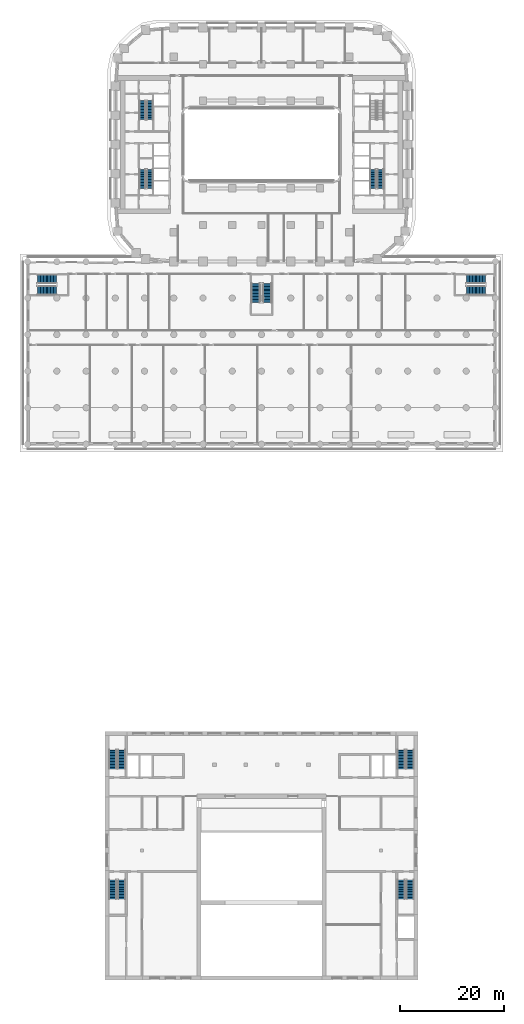
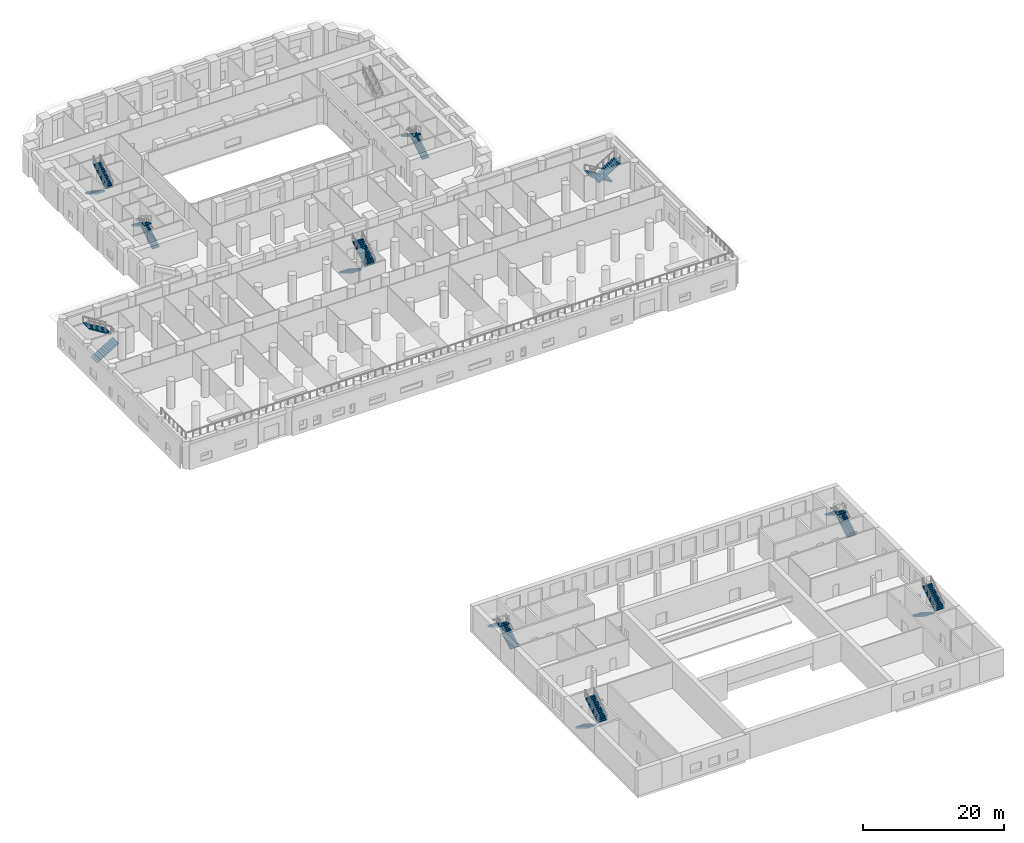
# One storey, part 16 of 27: 20 stair flights, 10 elements without a shape of their own.
"""IFC4 building model written with IfcOpenShell, lengths in metres."""

from ifc_helpers import new_model, si_unit, direction, frame, origin, place, context, subcontext, project, spatial, polyline, outline, extrude, material, type_object, element, aggregate, save


model = new_model("IFC4")

# Units and contexts
model_context = context("Model", 3, precision=1e-05, world=origin(), true_north=direction((0.0, 1.0)))
body_context = subcontext(model_context, "Body", "Model", "MODEL_VIEW")
ifc_project = project(units=[si_unit("LENGTHUNIT", "METRE"), si_unit("AREAUNIT", "SQUARE_METRE"), si_unit("VOLUMEUNIT", "CUBIC_METRE"), si_unit("PLANEANGLEUNIT", "RADIAN"), si_unit("MASSUNIT", "GRAM", prefix="KILO")], contexts=[model_context])

# Site, building, storey
site_placement = place(None, origin())
site = spatial("IfcSite", under=ifc_project, at=site_placement, CompositionType="ELEMENT")
building_placement = place(site_placement, origin())
building = spatial("IfcBuilding", under=site, at=building_placement, Name="Kiln Ring Residences", CompositionType="ELEMENT")
storey_placement = place(building_placement, frame((0.0, 0.0, 6.5)))
storey = spatial("IfcBuildingStorey", under=building, at=storey_placement, Name="L01", CompositionType="ELEMENT", Elevation=6.5)

# Stair, stair flights
ifc_material_1 = material(Name="Concrete C40/50", Category="concrete")
stair_type_1 = type_object("IfcStairType", Name="CORE-STAIR", PredefinedType="HALF_TURN_STAIR", material=ifc_material_1)
placement = place(storey_placement, origin())
stair_1 = element("IfcStair", 1, at=placement, inside=storey, type_object=stair_type_1, Name="L01 stair W-STN", PredefinedType="HALF_TURN_STAIR")
ifc_material_2 = material(Name="Concrete C40/50", Category="concrete")
stair_flight_type_1 = type_object("IfcStairFlightType", Name="CORE-STAIR-FLIGHT", PredefinedType="STRAIGHT", material=ifc_material_2)
stair_flight_1_placement = place(storey_placement, frame((-22.800048828125, 8.39990234375, 0.0), z_axis=(0.0, 0.0, 1.0), x_axis=(0.0, -1.0, 0.0)))
stair_flight_1 = element("IfcStairFlight", 2, at=stair_flight_1_placement, type_object=stair_flight_type_1, Name="W-STN flight 1", NumberOfRisers=14, NumberOfTreads=13, PredefinedType="STRAIGHT", RiserHeight=0.171428571, TreadLength=0.28, context=body_context, shape_type="SweptSolid", body=[
    extrude(outline(polyline([(0.0, 0.0), (0.0, 0.17138671875), (0.280029296875, 0.17138671875), (0.280029296875, 0.3427734375), (0.56005859375, 0.3427734375), (0.56005859375, 0.514404296875), (0.840087890625, 0.514404296875), (0.840087890625, 0.685791015625), (1.1201171875, 0.685791015625), (1.1201171875, 0.857177734375), (1.39990234375, 0.857177734375), (1.39990234375, 1.028564453125), (1.679931640625, 1.028564453125), (1.679931640625, 1.199951171875), (1.9599609375, 1.199951171875), (1.9599609375, 1.371337890625), (2.239990234375, 1.371337890625), (2.239990234375, 1.54296875), (2.52001953125, 1.54296875), (2.52001953125, 1.71435546875), (2.800048828125, 1.71435546875), (2.800048828125, 1.8857421875), (3.080078125, 1.8857421875), (3.080078125, 2.05712890625), (3.360107421875, 2.05712890625), (3.360107421875, 2.228515625), (3.639892578125, 2.228515625), (3.639892578125, 2.39990234375), (3.639892578125, 2.052734375), (0.287109375, 0.0), (0.0, 0.0)])), frame((0.0, 0.60009765625, 0.0), z_axis=(0.0, -1.0, 0.0), x_axis=(1.0, 0.0, 0.0)), (0.0, 0.0, 1.0), 1.199951171875),
])
stair_flight_2_placement = place(storey_placement, frame((-21.39990234375, 4.760009765625, 2.39990234375), z_axis=(0.0, 0.0, 1.0), x_axis=(0.0, 1.0, 0.0)))
stair_flight_2 = element("IfcStairFlight", 3, at=stair_flight_2_placement, type_object=stair_flight_type_1, Name="W-STN flight 2", NumberOfRisers=14, NumberOfTreads=13, PredefinedType="STRAIGHT", RiserHeight=0.171428571, TreadLength=0.28, context=body_context, shape_type="SweptSolid", body=[
    extrude(outline(polyline([(0.0, 0.0), (0.0, 0.17138671875), (0.280029296875, 0.17138671875), (0.280029296875, 0.3427734375), (0.56005859375, 0.3427734375), (0.56005859375, 0.514404296875), (0.840087890625, 0.514404296875), (0.840087890625, 0.685791015625), (1.1201171875, 0.685791015625), (1.1201171875, 0.857177734375), (1.39990234375, 0.857177734375), (1.39990234375, 1.028564453125), (1.679931640625, 1.028564453125), (1.679931640625, 1.199951171875), (1.9599609375, 1.199951171875), (1.9599609375, 1.371337890625), (2.239990234375, 1.371337890625), (2.239990234375, 1.54296875), (2.52001953125, 1.54296875), (2.52001953125, 1.71435546875), (2.800048828125, 1.71435546875), (2.800048828125, 1.8857421875), (3.080078125, 1.8857421875), (3.080078125, 2.05712890625), (3.360107421875, 2.05712890625), (3.360107421875, 2.228515625), (3.639892578125, 2.228515625), (3.639892578125, 2.39990234375), (3.639892578125, 2.052734375), (0.287109375, 0.0), (0.0, 0.0)])), frame((0.0, 0.60009765625, 0.0), z_axis=(0.0, -1.0, 0.0), x_axis=(1.0, 0.0, 0.0)), (0.0, 0.0, 1.0), 1.199951171875),
])
aggregate(stair_1, [stair_flight_1, stair_flight_2])

stair_2 = element("IfcStair", 4, at=placement, inside=storey, type_object=stair_type_1, Name="L01 stair W-STS", PredefinedType="HALF_TURN_STAIR")
stair_flight_3_placement = place(storey_placement, frame((-21.39990234375, -8.39990234375, 0.0), z_axis=(0.0, 0.0, 1.0), x_axis=(0.0, 1.0, 0.0)))
stair_flight_3 = element("IfcStairFlight", 5, at=stair_flight_3_placement, type_object=stair_flight_type_1, Name="W-STS flight 1", NumberOfRisers=14, NumberOfTreads=13, PredefinedType="STRAIGHT", RiserHeight=0.171428571, TreadLength=0.28, context=body_context, shape_type="SweptSolid", body=[
    extrude(outline(polyline([(0.0, 0.0), (0.0, 0.17138671875), (0.280029296875, 0.17138671875), (0.280029296875, 0.3427734375), (0.56005859375, 0.3427734375), (0.56005859375, 0.514404296875), (0.840087890625, 0.514404296875), (0.840087890625, 0.685791015625), (1.1201171875, 0.685791015625), (1.1201171875, 0.857177734375), (1.39990234375, 0.857177734375), (1.39990234375, 1.028564453125), (1.679931640625, 1.028564453125), (1.679931640625, 1.199951171875), (1.9599609375, 1.199951171875), (1.9599609375, 1.371337890625), (2.239990234375, 1.371337890625), (2.239990234375, 1.54296875), (2.52001953125, 1.54296875), (2.52001953125, 1.71435546875), (2.800048828125, 1.71435546875), (2.800048828125, 1.8857421875), (3.080078125, 1.8857421875), (3.080078125, 2.05712890625), (3.360107421875, 2.05712890625), (3.360107421875, 2.228515625), (3.639892578125, 2.228515625), (3.639892578125, 2.39990234375), (3.639892578125, 2.052734375), (0.287109375, 0.0), (0.0, 0.0)])), frame((0.0, 0.60009765625, 0.0), z_axis=(0.0, -1.0, 0.0), x_axis=(1.0, 0.0, 0.0)), (0.0, 0.0, 1.0), 1.199951171875),
])
stair_flight_4_placement = place(storey_placement, frame((-22.800048828125, -4.760009765625, 2.39990234375), z_axis=(0.0, 0.0, 1.0), x_axis=(0.0, -1.0, 0.0)))
stair_flight_4 = element("IfcStairFlight", 6, at=stair_flight_4_placement, type_object=stair_flight_type_1, Name="W-STS flight 2", NumberOfRisers=14, NumberOfTreads=13, PredefinedType="STRAIGHT", RiserHeight=0.171428571, TreadLength=0.28, context=body_context, shape_type="SweptSolid", body=[
    extrude(outline(polyline([(0.0, 0.0), (0.0, 0.17138671875), (0.280029296875, 0.17138671875), (0.280029296875, 0.3427734375), (0.56005859375, 0.3427734375), (0.56005859375, 0.514404296875), (0.840087890625, 0.514404296875), (0.840087890625, 0.685791015625), (1.1201171875, 0.685791015625), (1.1201171875, 0.857177734375), (1.39990234375, 0.857177734375), (1.39990234375, 1.028564453125), (1.679931640625, 1.028564453125), (1.679931640625, 1.199951171875), (1.9599609375, 1.199951171875), (1.9599609375, 1.371337890625), (2.239990234375, 1.371337890625), (2.239990234375, 1.54296875), (2.52001953125, 1.54296875), (2.52001953125, 1.71435546875), (2.800048828125, 1.71435546875), (2.800048828125, 1.8857421875), (3.080078125, 1.8857421875), (3.080078125, 2.05712890625), (3.360107421875, 2.05712890625), (3.360107421875, 2.228515625), (3.639892578125, 2.228515625), (3.639892578125, 2.39990234375), (3.639892578125, 2.052734375), (0.287109375, 0.0), (0.0, 0.0)])), frame((0.0, 0.60009765625, 0.0), z_axis=(0.0, -1.0, 0.0), x_axis=(1.0, 0.0, 0.0)), (0.0, 0.0, 1.0), 1.199951171875),
])
aggregate(stair_2, [stair_flight_3, stair_flight_4])

stair_3 = element("IfcStair", 7, at=placement, inside=storey, type_object=stair_type_1, Name="L01 stair E-STS", PredefinedType="HALF_TURN_STAIR")
stair_flight_5_placement = place(storey_placement, frame((22.800048828125, -8.39990234375, 0.0), z_axis=(0.0, 0.0, 1.0), x_axis=(0.0, 1.0, 0.0)))
stair_flight_5 = element("IfcStairFlight", 8, at=stair_flight_5_placement, type_object=stair_flight_type_1, Name="E-STS flight 1", NumberOfRisers=14, NumberOfTreads=13, PredefinedType="STRAIGHT", RiserHeight=0.171428571, TreadLength=0.28, context=body_context, shape_type="SweptSolid", body=[
    extrude(outline(polyline([(0.0, 0.0), (0.0, 0.17138671875), (0.280029296875, 0.17138671875), (0.280029296875, 0.3427734375), (0.56005859375, 0.3427734375), (0.56005859375, 0.514404296875), (0.840087890625, 0.514404296875), (0.840087890625, 0.685791015625), (1.1201171875, 0.685791015625), (1.1201171875, 0.857177734375), (1.39990234375, 0.857177734375), (1.39990234375, 1.028564453125), (1.679931640625, 1.028564453125), (1.679931640625, 1.199951171875), (1.9599609375, 1.199951171875), (1.9599609375, 1.371337890625), (2.239990234375, 1.371337890625), (2.239990234375, 1.54296875), (2.52001953125, 1.54296875), (2.52001953125, 1.71435546875), (2.800048828125, 1.71435546875), (2.800048828125, 1.8857421875), (3.080078125, 1.8857421875), (3.080078125, 2.05712890625), (3.360107421875, 2.05712890625), (3.360107421875, 2.228515625), (3.639892578125, 2.228515625), (3.639892578125, 2.39990234375), (3.639892578125, 2.052734375), (0.287109375, 0.0), (0.0, 0.0)])), frame((0.0, 0.60009765625, 0.0), z_axis=(0.0, -1.0, 0.0), x_axis=(1.0, 0.0, 0.0)), (0.0, 0.0, 1.0), 1.199951171875),
])
stair_flight_6_placement = place(storey_placement, frame((21.39990234375, -4.760009765625, 2.39990234375), z_axis=(0.0, 0.0, 1.0), x_axis=(0.0, -1.0, 0.0)))
stair_flight_6 = element("IfcStairFlight", 9, at=stair_flight_6_placement, type_object=stair_flight_type_1, Name="E-STS flight 2", NumberOfRisers=14, NumberOfTreads=13, PredefinedType="STRAIGHT", RiserHeight=0.171428571, TreadLength=0.28, context=body_context, shape_type="SweptSolid", body=[
    extrude(outline(polyline([(0.0, 0.0), (0.0, 0.17138671875), (0.280029296875, 0.17138671875), (0.280029296875, 0.3427734375), (0.56005859375, 0.3427734375), (0.56005859375, 0.514404296875), (0.840087890625, 0.514404296875), (0.840087890625, 0.685791015625), (1.1201171875, 0.685791015625), (1.1201171875, 0.857177734375), (1.39990234375, 0.857177734375), (1.39990234375, 1.028564453125), (1.679931640625, 1.028564453125), (1.679931640625, 1.199951171875), (1.9599609375, 1.199951171875), (1.9599609375, 1.371337890625), (2.239990234375, 1.371337890625), (2.239990234375, 1.54296875), (2.52001953125, 1.54296875), (2.52001953125, 1.71435546875), (2.800048828125, 1.71435546875), (2.800048828125, 1.8857421875), (3.080078125, 1.8857421875), (3.080078125, 2.05712890625), (3.360107421875, 2.05712890625), (3.360107421875, 2.228515625), (3.639892578125, 2.228515625), (3.639892578125, 2.39990234375), (3.639892578125, 2.052734375), (0.287109375, 0.0), (0.0, 0.0)])), frame((0.0, 0.60009765625, 0.0), z_axis=(0.0, -1.0, 0.0), x_axis=(1.0, 0.0, 0.0)), (0.0, 0.0, 1.0), 1.199951171875),
])
aggregate(stair_3, [stair_flight_5, stair_flight_6])

ifc_material_3 = material(Name="Concrete C40/50", Category="concrete")
stair_type_2 = type_object("IfcStairType", Name="Hall reinforced concrete stair", PredefinedType="HALF_TURN_STAIR", material=ifc_material_3)
stair_4 = element("IfcStair", 10, at=placement, inside=storey, type_object=stair_type_2, Name="L01 Hall stair ST1", PredefinedType="HALF_TURN_STAIR")
ifc_material_4 = material(Name="Concrete C40/50", Category="concrete")
stair_flight_type_2 = type_object("IfcStairFlightType", Name="Hall reinforced concrete stair flight", PredefinedType="STRAIGHT", material=ifc_material_4)
stair_flight_7_placement = place(storey_placement, frame((-26.800048828125, -119.550048828125, 0.0), z_axis=(0.0, 0.0, 1.0), x_axis=(0.0, 1.0, 0.0)))
stair_flight_7 = element("IfcStairFlight", 11, at=stair_flight_7_placement, type_object=stair_flight_type_2, Name="HALL.ST1 flight 1", NumberOfRisers=14, NumberOfTreads=13, PredefinedType="STRAIGHT", RiserHeight=0.171428571, TreadLength=0.28, context=body_context, shape_type="SweptSolid", body=[
    extrude(outline(polyline([(0.0, 0.0), (0.0, 0.17138671875), (0.280029296875, 0.17138671875), (0.280029296875, 0.3427734375), (0.56005859375, 0.3427734375), (0.56005859375, 0.514404296875), (0.840087890625, 0.514404296875), (0.840087890625, 0.685791015625), (1.1201171875, 0.685791015625), (1.1201171875, 0.857177734375), (1.39990234375, 0.857177734375), (1.39990234375, 1.028564453125), (1.679931640625, 1.028564453125), (1.679931640625, 1.199951171875), (1.9599609375, 1.199951171875), (1.9599609375, 1.371337890625), (2.239990234375, 1.371337890625), (2.239990234375, 1.54296875), (2.52001953125, 1.54296875), (2.52001953125, 1.71435546875), (2.800048828125, 1.71435546875), (2.800048828125, 1.8857421875), (3.080078125, 1.8857421875), (3.080078125, 2.05712890625), (3.360107421875, 2.05712890625), (3.360107421875, 2.228515625), (3.639892578125, 2.228515625), (3.639892578125, 2.39990234375), (3.639892578125, 2.052734375), (0.287109375, 0.0), (0.0, 0.0)])), frame((0.0, 0.75, 0.0), z_axis=(0.0, -1.0, 0.0), x_axis=(1.0, 0.0, 0.0)), (0.0, 0.0, 1.0), 1.5),
])
stair_flight_8_placement = place(storey_placement, frame((-28.449951171875, -115.909912109375, 2.39990234375), z_axis=(0.0, 0.0, 1.0), x_axis=(0.0, -1.0, 0.0)))
stair_flight_8 = element("IfcStairFlight", 12, at=stair_flight_8_placement, type_object=stair_flight_type_2, Name="HALL.ST1 flight 2", NumberOfRisers=14, NumberOfTreads=13, PredefinedType="STRAIGHT", RiserHeight=0.171428571, TreadLength=0.28, context=body_context, shape_type="SweptSolid", body=[
    extrude(outline(polyline([(0.0, 0.0), (0.0, 0.17138671875), (0.280029296875, 0.17138671875), (0.280029296875, 0.3427734375), (0.56005859375, 0.3427734375), (0.56005859375, 0.514404296875), (0.840087890625, 0.514404296875), (0.840087890625, 0.685791015625), (1.1201171875, 0.685791015625), (1.1201171875, 0.857177734375), (1.39990234375, 0.857177734375), (1.39990234375, 1.028564453125), (1.679931640625, 1.028564453125), (1.679931640625, 1.199951171875), (1.9599609375, 1.199951171875), (1.9599609375, 1.371337890625), (2.239990234375, 1.371337890625), (2.239990234375, 1.54296875), (2.52001953125, 1.54296875), (2.52001953125, 1.71435546875), (2.800048828125, 1.71435546875), (2.800048828125, 1.8857421875), (3.080078125, 1.8857421875), (3.080078125, 2.05712890625), (3.360107421875, 2.05712890625), (3.360107421875, 2.228515625), (3.639892578125, 2.228515625), (3.639892578125, 2.39990234375), (3.639892578125, 2.052734375), (0.287109375, 0.0), (0.0, 0.0)])), frame((0.0, 0.75, 0.0), z_axis=(0.0, -1.0, 0.0), x_axis=(1.0, 0.0, 0.0)), (0.0, 0.0, 1.0), 1.5),
])
aggregate(stair_4, [stair_flight_7, stair_flight_8])

stair_5 = element("IfcStair", 13, at=placement, inside=storey, type_object=stair_type_2, Name="L01 Hall stair ST2", PredefinedType="HALF_TURN_STAIR")
stair_flight_9_placement = place(storey_placement, frame((28.449951171875, -119.550048828125, 0.0), z_axis=(0.0, 0.0, 1.0), x_axis=(0.0, 1.0, 0.0)))
stair_flight_9 = element("IfcStairFlight", 14, at=stair_flight_9_placement, type_object=stair_flight_type_2, Name="HALL.ST2 flight 1", NumberOfRisers=14, NumberOfTreads=13, PredefinedType="STRAIGHT", RiserHeight=0.171428571, TreadLength=0.28, context=body_context, shape_type="SweptSolid", body=[
    extrude(outline(polyline([(0.0, 0.0), (0.0, 0.17138671875), (0.280029296875, 0.17138671875), (0.280029296875, 0.3427734375), (0.56005859375, 0.3427734375), (0.56005859375, 0.514404296875), (0.840087890625, 0.514404296875), (0.840087890625, 0.685791015625), (1.1201171875, 0.685791015625), (1.1201171875, 0.857177734375), (1.39990234375, 0.857177734375), (1.39990234375, 1.028564453125), (1.679931640625, 1.028564453125), (1.679931640625, 1.199951171875), (1.9599609375, 1.199951171875), (1.9599609375, 1.371337890625), (2.239990234375, 1.371337890625), (2.239990234375, 1.54296875), (2.52001953125, 1.54296875), (2.52001953125, 1.71435546875), (2.800048828125, 1.71435546875), (2.800048828125, 1.8857421875), (3.080078125, 1.8857421875), (3.080078125, 2.05712890625), (3.360107421875, 2.05712890625), (3.360107421875, 2.228515625), (3.639892578125, 2.228515625), (3.639892578125, 2.39990234375), (3.639892578125, 2.052734375), (0.287109375, 0.0), (0.0, 0.0)])), frame((0.0, 0.75, 0.0), z_axis=(0.0, -1.0, 0.0), x_axis=(1.0, 0.0, 0.0)), (0.0, 0.0, 1.0), 1.5),
])
stair_flight_10_placement = place(storey_placement, frame((26.800048828125, -115.909912109375, 2.39990234375), z_axis=(0.0, 0.0, 1.0), x_axis=(0.0, -1.0, 0.0)))
stair_flight_10 = element("IfcStairFlight", 15, at=stair_flight_10_placement, type_object=stair_flight_type_2, Name="HALL.ST2 flight 2", NumberOfRisers=14, NumberOfTreads=13, PredefinedType="STRAIGHT", RiserHeight=0.171428571, TreadLength=0.28, context=body_context, shape_type="SweptSolid", body=[
    extrude(outline(polyline([(0.0, 0.0), (0.0, 0.17138671875), (0.280029296875, 0.17138671875), (0.280029296875, 0.3427734375), (0.56005859375, 0.3427734375), (0.56005859375, 0.514404296875), (0.840087890625, 0.514404296875), (0.840087890625, 0.685791015625), (1.1201171875, 0.685791015625), (1.1201171875, 0.857177734375), (1.39990234375, 0.857177734375), (1.39990234375, 1.028564453125), (1.679931640625, 1.028564453125), (1.679931640625, 1.199951171875), (1.9599609375, 1.199951171875), (1.9599609375, 1.371337890625), (2.239990234375, 1.371337890625), (2.239990234375, 1.54296875), (2.52001953125, 1.54296875), (2.52001953125, 1.71435546875), (2.800048828125, 1.71435546875), (2.800048828125, 1.8857421875), (3.080078125, 1.8857421875), (3.080078125, 2.05712890625), (3.360107421875, 2.05712890625), (3.360107421875, 2.228515625), (3.639892578125, 2.228515625), (3.639892578125, 2.39990234375), (3.639892578125, 2.052734375), (0.287109375, 0.0), (0.0, 0.0)])), frame((0.0, 0.75, 0.0), z_axis=(0.0, -1.0, 0.0), x_axis=(1.0, 0.0, 0.0)), (0.0, 0.0, 1.0), 1.5),
])
aggregate(stair_5, [stair_flight_9, stair_flight_10])

stair_6 = element("IfcStair", 16, at=placement, inside=storey, type_object=stair_type_2, Name="L01 Hall stair ST3", PredefinedType="HALF_TURN_STAIR")
stair_flight_11_placement = place(storey_placement, frame((-28.449951171875, -140.85009765625, 0.0), z_axis=(0.0, 0.0, 1.0), x_axis=(0.0, -1.0, 0.0)))
stair_flight_11 = element("IfcStairFlight", 17, at=stair_flight_11_placement, type_object=stair_flight_type_2, Name="HALL.ST3 flight 1", NumberOfRisers=14, NumberOfTreads=13, PredefinedType="STRAIGHT", RiserHeight=0.171428571, TreadLength=0.28, context=body_context, shape_type="SweptSolid", body=[
    extrude(outline(polyline([(0.0, 0.0), (0.0, 0.17138671875), (0.280029296875, 0.17138671875), (0.280029296875, 0.3427734375), (0.56005859375, 0.3427734375), (0.56005859375, 0.514404296875), (0.840087890625, 0.514404296875), (0.840087890625, 0.685791015625), (1.1201171875, 0.685791015625), (1.1201171875, 0.857177734375), (1.39990234375, 0.857177734375), (1.39990234375, 1.028564453125), (1.679931640625, 1.028564453125), (1.679931640625, 1.199951171875), (1.9599609375, 1.199951171875), (1.9599609375, 1.371337890625), (2.239990234375, 1.371337890625), (2.239990234375, 1.54296875), (2.52001953125, 1.54296875), (2.52001953125, 1.71435546875), (2.800048828125, 1.71435546875), (2.800048828125, 1.8857421875), (3.080078125, 1.8857421875), (3.080078125, 2.05712890625), (3.360107421875, 2.05712890625), (3.360107421875, 2.228515625), (3.639892578125, 2.228515625), (3.639892578125, 2.39990234375), (3.639892578125, 2.052734375), (0.287109375, 0.0), (0.0, 0.0)])), frame((0.0, 0.75, 0.0), z_axis=(0.0, -1.0, 0.0), x_axis=(1.0, 0.0, 0.0)), (0.0, 0.0, 1.0), 1.5),
])
stair_flight_12_placement = place(storey_placement, frame((-26.800048828125, -144.489990234375, 2.39990234375), z_axis=(0.0, 0.0, 1.0), x_axis=(0.0, 1.0, 0.0)))
stair_flight_12 = element("IfcStairFlight", 18, at=stair_flight_12_placement, type_object=stair_flight_type_2, Name="HALL.ST3 flight 2", NumberOfRisers=14, NumberOfTreads=13, PredefinedType="STRAIGHT", RiserHeight=0.171428571, TreadLength=0.28, context=body_context, shape_type="SweptSolid", body=[
    extrude(outline(polyline([(0.0, 0.0), (0.0, 0.17138671875), (0.280029296875, 0.17138671875), (0.280029296875, 0.3427734375), (0.56005859375, 0.3427734375), (0.56005859375, 0.514404296875), (0.840087890625, 0.514404296875), (0.840087890625, 0.685791015625), (1.1201171875, 0.685791015625), (1.1201171875, 0.857177734375), (1.39990234375, 0.857177734375), (1.39990234375, 1.028564453125), (1.679931640625, 1.028564453125), (1.679931640625, 1.199951171875), (1.9599609375, 1.199951171875), (1.9599609375, 1.371337890625), (2.239990234375, 1.371337890625), (2.239990234375, 1.54296875), (2.52001953125, 1.54296875), (2.52001953125, 1.71435546875), (2.800048828125, 1.71435546875), (2.800048828125, 1.8857421875), (3.080078125, 1.8857421875), (3.080078125, 2.05712890625), (3.360107421875, 2.05712890625), (3.360107421875, 2.228515625), (3.639892578125, 2.228515625), (3.639892578125, 2.39990234375), (3.639892578125, 2.052734375), (0.287109375, 0.0), (0.0, 0.0)])), frame((0.0, 0.75, 0.0), z_axis=(0.0, -1.0, 0.0), x_axis=(1.0, 0.0, 0.0)), (0.0, 0.0, 1.0), 1.5),
])
aggregate(stair_6, [stair_flight_11, stair_flight_12])

stair_7 = element("IfcStair", 19, at=placement, inside=storey, type_object=stair_type_2, Name="L01 Hall stair ST4", PredefinedType="HALF_TURN_STAIR")
stair_flight_13_placement = place(storey_placement, frame((26.800048828125, -140.85009765625, 0.0), z_axis=(0.0, 0.0, 1.0), x_axis=(0.0, -1.0, 0.0)))
stair_flight_13 = element("IfcStairFlight", 20, at=stair_flight_13_placement, type_object=stair_flight_type_2, Name="HALL.ST4 flight 1", NumberOfRisers=14, NumberOfTreads=13, PredefinedType="STRAIGHT", RiserHeight=0.171428571, TreadLength=0.28, context=body_context, shape_type="SweptSolid", body=[
    extrude(outline(polyline([(0.0, 0.0), (0.0, 0.17138671875), (0.280029296875, 0.17138671875), (0.280029296875, 0.3427734375), (0.56005859375, 0.3427734375), (0.56005859375, 0.514404296875), (0.840087890625, 0.514404296875), (0.840087890625, 0.685791015625), (1.1201171875, 0.685791015625), (1.1201171875, 0.857177734375), (1.39990234375, 0.857177734375), (1.39990234375, 1.028564453125), (1.679931640625, 1.028564453125), (1.679931640625, 1.199951171875), (1.9599609375, 1.199951171875), (1.9599609375, 1.371337890625), (2.239990234375, 1.371337890625), (2.239990234375, 1.54296875), (2.52001953125, 1.54296875), (2.52001953125, 1.71435546875), (2.800048828125, 1.71435546875), (2.800048828125, 1.8857421875), (3.080078125, 1.8857421875), (3.080078125, 2.05712890625), (3.360107421875, 2.05712890625), (3.360107421875, 2.228515625), (3.639892578125, 2.228515625), (3.639892578125, 2.39990234375), (3.639892578125, 2.052734375), (0.287109375, 0.0), (0.0, 0.0)])), frame((0.0, 0.75, 0.0), z_axis=(0.0, -1.0, 0.0), x_axis=(1.0, 0.0, 0.0)), (0.0, 0.0, 1.0), 1.5),
])
stair_flight_14_placement = place(storey_placement, frame((28.449951171875, -144.489990234375, 2.39990234375), z_axis=(0.0, 0.0, 1.0), x_axis=(0.0, 1.0, 0.0)))
stair_flight_14 = element("IfcStairFlight", 21, at=stair_flight_14_placement, type_object=stair_flight_type_2, Name="HALL.ST4 flight 2", NumberOfRisers=14, NumberOfTreads=13, PredefinedType="STRAIGHT", RiserHeight=0.171428571, TreadLength=0.28, context=body_context, shape_type="SweptSolid", body=[
    extrude(outline(polyline([(0.0, 0.0), (0.0, 0.17138671875), (0.280029296875, 0.17138671875), (0.280029296875, 0.3427734375), (0.56005859375, 0.3427734375), (0.56005859375, 0.514404296875), (0.840087890625, 0.514404296875), (0.840087890625, 0.685791015625), (1.1201171875, 0.685791015625), (1.1201171875, 0.857177734375), (1.39990234375, 0.857177734375), (1.39990234375, 1.028564453125), (1.679931640625, 1.028564453125), (1.679931640625, 1.199951171875), (1.9599609375, 1.199951171875), (1.9599609375, 1.371337890625), (2.239990234375, 1.371337890625), (2.239990234375, 1.54296875), (2.52001953125, 1.54296875), (2.52001953125, 1.71435546875), (2.800048828125, 1.71435546875), (2.800048828125, 1.8857421875), (3.080078125, 1.8857421875), (3.080078125, 2.05712890625), (3.360107421875, 2.05712890625), (3.360107421875, 2.228515625), (3.639892578125, 2.228515625), (3.639892578125, 2.39990234375), (3.639892578125, 2.052734375), (0.287109375, 0.0), (0.0, 0.0)])), frame((0.0, 0.75, 0.0), z_axis=(0.0, -1.0, 0.0), x_axis=(1.0, 0.0, 0.0)), (0.0, 0.0, 1.0), 1.5),
])
aggregate(stair_7, [stair_flight_13, stair_flight_14])

ifc_material_5 = material(Name="Concrete C40/50", Category="concrete")
stair_type_3 = type_object("IfcStairType", Name="PODIUM-STAIR", PredefinedType="HALF_TURN_STAIR", material=ifc_material_5)
stair_8 = element("IfcStair", 22, at=placement, inside=storey, type_object=stair_type_3, Name="L01 exit stair PS-W", PredefinedType="HALF_TURN_STAIR")
ifc_material_6 = material(Name="Concrete C40/50", Category="concrete")
stair_flight_type_3 = type_object("IfcStairFlightType", Name="PODIUM-STAIR-FLIGHT", PredefinedType="STRAIGHT", material=ifc_material_6)
stair_flight_15_placement = place(storey_placement, frame((-42.89990234375, -27.949951171875, 0.0), z_axis=(0.0, 0.0, 1.0), x_axis=(1.0, 0.0, 0.0)))
stair_flight_15 = element("IfcStairFlight", 23, at=stair_flight_15_placement, type_object=stair_flight_type_3, Name="PS-W flight 1", NumberOfRisers=14, NumberOfTreads=13, PredefinedType="STRAIGHT", RiserHeight=0.171428571, TreadLength=0.28, context=body_context, shape_type="SweptSolid", body=[
    extrude(outline(polyline([(0.0, 0.0), (0.0, 0.17138671875), (0.280029296875, 0.17138671875), (0.280029296875, 0.3427734375), (0.56005859375, 0.3427734375), (0.56005859375, 0.514404296875), (0.840087890625, 0.514404296875), (0.840087890625, 0.685791015625), (1.1201171875, 0.685791015625), (1.1201171875, 0.857177734375), (1.39990234375, 0.857177734375), (1.39990234375, 1.028564453125), (1.679931640625, 1.028564453125), (1.679931640625, 1.199951171875), (1.9599609375, 1.199951171875), (1.9599609375, 1.371337890625), (2.239990234375, 1.371337890625), (2.239990234375, 1.54296875), (2.52001953125, 1.54296875), (2.52001953125, 1.71435546875), (2.800048828125, 1.71435546875), (2.800048828125, 1.8857421875), (3.080078125, 1.8857421875), (3.080078125, 2.05712890625), (3.360107421875, 2.05712890625), (3.360107421875, 2.228515625), (3.639892578125, 2.228515625), (3.639892578125, 2.39990234375), (3.639892578125, 2.052734375), (0.287109375, 0.0), (0.0, 0.0)])), frame((0.0, 0.85009765625, 0.0), z_axis=(0.0, -1.0, 0.0), x_axis=(1.0, 0.0, 0.0)), (0.0, 0.0, 1.0), 1.699951171875),
])
stair_flight_16_placement = place(storey_placement, frame((-39.260009765625, -25.75, 2.39990234375), z_axis=(0.0, 0.0, 1.0), x_axis=(-1.0, 0.0, 0.0)))
stair_flight_16 = element("IfcStairFlight", 24, at=stair_flight_16_placement, type_object=stair_flight_type_3, Name="PS-W flight 2", NumberOfRisers=14, NumberOfTreads=13, PredefinedType="STRAIGHT", RiserHeight=0.171428571, TreadLength=0.28, context=body_context, shape_type="SweptSolid", body=[
    extrude(outline(polyline([(0.0, 0.0), (0.0, 0.17138671875), (0.280029296875, 0.17138671875), (0.280029296875, 0.3427734375), (0.56005859375, 0.3427734375), (0.56005859375, 0.514404296875), (0.840087890625, 0.514404296875), (0.840087890625, 0.685791015625), (1.1201171875, 0.685791015625), (1.1201171875, 0.857177734375), (1.39990234375, 0.857177734375), (1.39990234375, 1.028564453125), (1.679931640625, 1.028564453125), (1.679931640625, 1.199951171875), (1.9599609375, 1.199951171875), (1.9599609375, 1.371337890625), (2.239990234375, 1.371337890625), (2.239990234375, 1.54296875), (2.52001953125, 1.54296875), (2.52001953125, 1.71435546875), (2.800048828125, 1.71435546875), (2.800048828125, 1.8857421875), (3.080078125, 1.8857421875), (3.080078125, 2.05712890625), (3.360107421875, 2.05712890625), (3.360107421875, 2.228515625), (3.639892578125, 2.228515625), (3.639892578125, 2.39990234375), (3.639892578125, 2.052734375), (0.287109375, 0.0), (0.0, 0.0)])), frame((0.0, 0.85009765625, 0.0), z_axis=(0.0, -1.0, 0.0), x_axis=(1.0, 0.0, 0.0)), (0.0, 0.0, 1.0), 1.699951171875),
])
aggregate(stair_8, [stair_flight_15, stair_flight_16])

stair_9 = element("IfcStair", 25, at=placement, inside=storey, type_object=stair_type_3, Name="L01 exit stair PS-E", PredefinedType="HALF_TURN_STAIR")
stair_flight_17_placement = place(storey_placement, frame((42.89990234375, -25.75, 0.0), z_axis=(0.0, 0.0, 1.0), x_axis=(-1.0, 0.0, 0.0)))
stair_flight_17 = element("IfcStairFlight", 26, at=stair_flight_17_placement, type_object=stair_flight_type_3, Name="PS-E flight 1", NumberOfRisers=14, NumberOfTreads=13, PredefinedType="STRAIGHT", RiserHeight=0.171428571, TreadLength=0.28, context=body_context, shape_type="SweptSolid", body=[
    extrude(outline(polyline([(0.0, 0.0), (0.0, 0.17138671875), (0.280029296875, 0.17138671875), (0.280029296875, 0.3427734375), (0.56005859375, 0.3427734375), (0.56005859375, 0.514404296875), (0.840087890625, 0.514404296875), (0.840087890625, 0.685791015625), (1.1201171875, 0.685791015625), (1.1201171875, 0.857177734375), (1.39990234375, 0.857177734375), (1.39990234375, 1.028564453125), (1.679931640625, 1.028564453125), (1.679931640625, 1.199951171875), (1.9599609375, 1.199951171875), (1.9599609375, 1.371337890625), (2.239990234375, 1.371337890625), (2.239990234375, 1.54296875), (2.52001953125, 1.54296875), (2.52001953125, 1.71435546875), (2.800048828125, 1.71435546875), (2.800048828125, 1.8857421875), (3.080078125, 1.8857421875), (3.080078125, 2.05712890625), (3.360107421875, 2.05712890625), (3.360107421875, 2.228515625), (3.639892578125, 2.228515625), (3.639892578125, 2.39990234375), (3.639892578125, 2.052734375), (0.287109375, 0.0), (0.0, 0.0)])), frame((0.0, 0.85009765625, 0.0), z_axis=(0.0, -1.0, 0.0), x_axis=(1.0, 0.0, 0.0)), (0.0, 0.0, 1.0), 1.699951171875),
])
stair_flight_18_placement = place(storey_placement, frame((39.260009765625, -27.949951171875, 2.39990234375), z_axis=(0.0, 0.0, 1.0), x_axis=(1.0, 0.0, 0.0)))
stair_flight_18 = element("IfcStairFlight", 27, at=stair_flight_18_placement, type_object=stair_flight_type_3, Name="PS-E flight 2", NumberOfRisers=14, NumberOfTreads=13, PredefinedType="STRAIGHT", RiserHeight=0.171428571, TreadLength=0.28, context=body_context, shape_type="SweptSolid", body=[
    extrude(outline(polyline([(0.0, 0.0), (0.0, 0.17138671875), (0.280029296875, 0.17138671875), (0.280029296875, 0.3427734375), (0.56005859375, 0.3427734375), (0.56005859375, 0.514404296875), (0.840087890625, 0.514404296875), (0.840087890625, 0.685791015625), (1.1201171875, 0.685791015625), (1.1201171875, 0.857177734375), (1.39990234375, 0.857177734375), (1.39990234375, 1.028564453125), (1.679931640625, 1.028564453125), (1.679931640625, 1.199951171875), (1.9599609375, 1.199951171875), (1.9599609375, 1.371337890625), (2.239990234375, 1.371337890625), (2.239990234375, 1.54296875), (2.52001953125, 1.54296875), (2.52001953125, 1.71435546875), (2.800048828125, 1.71435546875), (2.800048828125, 1.8857421875), (3.080078125, 1.8857421875), (3.080078125, 2.05712890625), (3.360107421875, 2.05712890625), (3.360107421875, 2.228515625), (3.639892578125, 2.228515625), (3.639892578125, 2.39990234375), (3.639892578125, 2.052734375), (0.287109375, 0.0), (0.0, 0.0)])), frame((0.0, 0.85009765625, 0.0), z_axis=(0.0, -1.0, 0.0), x_axis=(1.0, 0.0, 0.0)), (0.0, 0.0, 1.0), 1.699951171875),
])
aggregate(stair_9, [stair_flight_17, stair_flight_18])

stair_10 = element("IfcStair", 28, at=placement, inside=storey, type_object=stair_type_3, Name="L01 exit stair PS-C", PredefinedType="HALF_TURN_STAIR")
stair_flight_19_placement = place(storey_placement, frame((-1.10009765625, -26.60009765625, 0.0), z_axis=(0.0, 0.0, 1.0), x_axis=(0.0, -1.0, 0.0)))
stair_flight_19 = element("IfcStairFlight", 29, at=stair_flight_19_placement, type_object=stair_flight_type_3, Name="PS-C flight 1", NumberOfRisers=14, NumberOfTreads=13, PredefinedType="STRAIGHT", RiserHeight=0.171428571, TreadLength=0.28, context=body_context, shape_type="SweptSolid", body=[
    extrude(outline(polyline([(0.0, 0.0), (0.0, 0.17138671875), (0.280029296875, 0.17138671875), (0.280029296875, 0.3427734375), (0.56005859375, 0.3427734375), (0.56005859375, 0.514404296875), (0.840087890625, 0.514404296875), (0.840087890625, 0.685791015625), (1.1201171875, 0.685791015625), (1.1201171875, 0.857177734375), (1.39990234375, 0.857177734375), (1.39990234375, 1.028564453125), (1.679931640625, 1.028564453125), (1.679931640625, 1.199951171875), (1.9599609375, 1.199951171875), (1.9599609375, 1.371337890625), (2.239990234375, 1.371337890625), (2.239990234375, 1.54296875), (2.52001953125, 1.54296875), (2.52001953125, 1.71435546875), (2.800048828125, 1.71435546875), (2.800048828125, 1.8857421875), (3.080078125, 1.8857421875), (3.080078125, 2.05712890625), (3.360107421875, 2.05712890625), (3.360107421875, 2.228515625), (3.639892578125, 2.228515625), (3.639892578125, 2.39990234375), (3.639892578125, 2.052734375), (0.287109375, 0.0), (0.0, 0.0)])), frame((0.0, 0.85009765625, 0.0), z_axis=(0.0, -1.0, 0.0), x_axis=(1.0, 0.0, 0.0)), (0.0, 0.0, 1.0), 1.699951171875),
])
stair_flight_20_placement = place(storey_placement, frame((1.10009765625, -30.239990234375, 2.39990234375), z_axis=(0.0, 0.0, 1.0), x_axis=(0.0, 1.0, 0.0)))
stair_flight_20 = element("IfcStairFlight", 30, at=stair_flight_20_placement, type_object=stair_flight_type_3, Name="PS-C flight 2", NumberOfRisers=14, NumberOfTreads=13, PredefinedType="STRAIGHT", RiserHeight=0.171428571, TreadLength=0.28, context=body_context, shape_type="SweptSolid", body=[
    extrude(outline(polyline([(0.0, 0.0), (0.0, 0.17138671875), (0.280029296875, 0.17138671875), (0.280029296875, 0.3427734375), (0.56005859375, 0.3427734375), (0.56005859375, 0.514404296875), (0.840087890625, 0.514404296875), (0.840087890625, 0.685791015625), (1.1201171875, 0.685791015625), (1.1201171875, 0.857177734375), (1.39990234375, 0.857177734375), (1.39990234375, 1.028564453125), (1.679931640625, 1.028564453125), (1.679931640625, 1.199951171875), (1.9599609375, 1.199951171875), (1.9599609375, 1.371337890625), (2.239990234375, 1.371337890625), (2.239990234375, 1.54296875), (2.52001953125, 1.54296875), (2.52001953125, 1.71435546875), (2.800048828125, 1.71435546875), (2.800048828125, 1.8857421875), (3.080078125, 1.8857421875), (3.080078125, 2.05712890625), (3.360107421875, 2.05712890625), (3.360107421875, 2.228515625), (3.639892578125, 2.228515625), (3.639892578125, 2.39990234375), (3.639892578125, 2.052734375), (0.287109375, 0.0), (0.0, 0.0)])), frame((0.0, 0.85009765625, 0.0), z_axis=(0.0, -1.0, 0.0), x_axis=(1.0, 0.0, 0.0)), (0.0, 0.0, 1.0), 1.699951171875),
])
aggregate(stair_10, [stair_flight_19, stair_flight_20])

save(model, "model.ifc")
